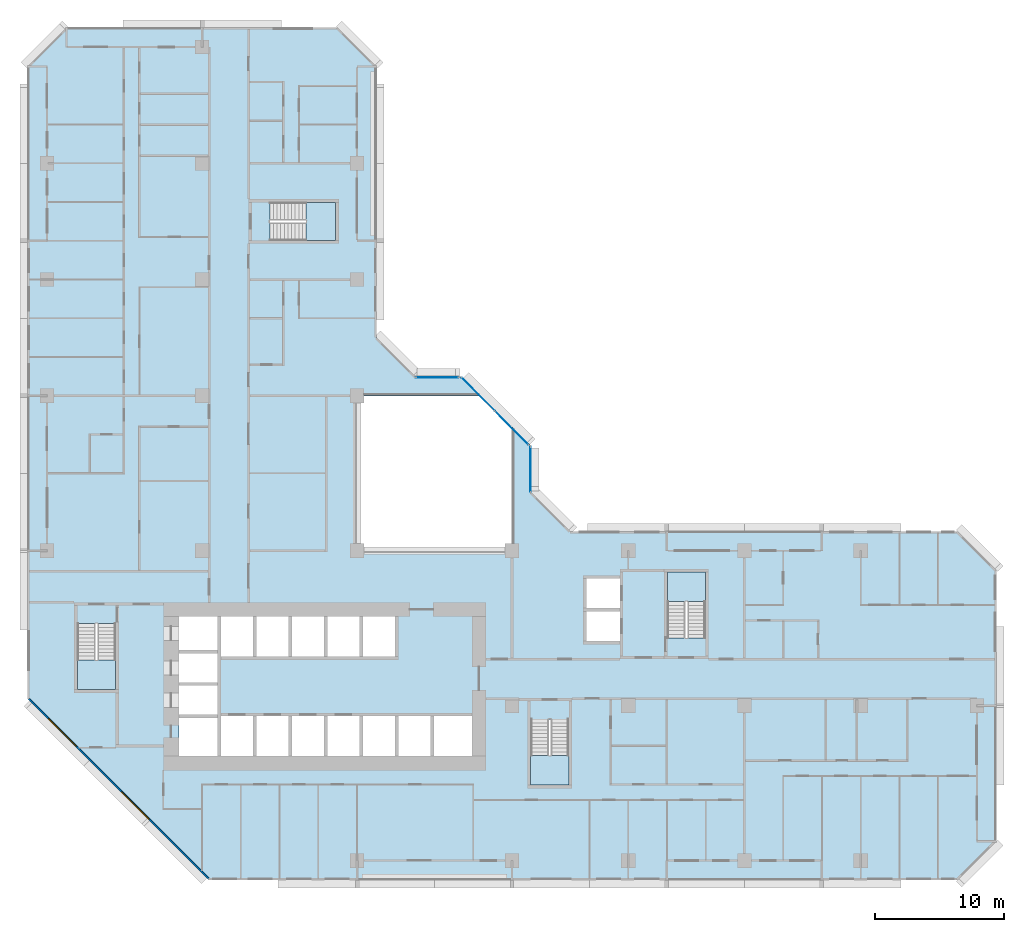
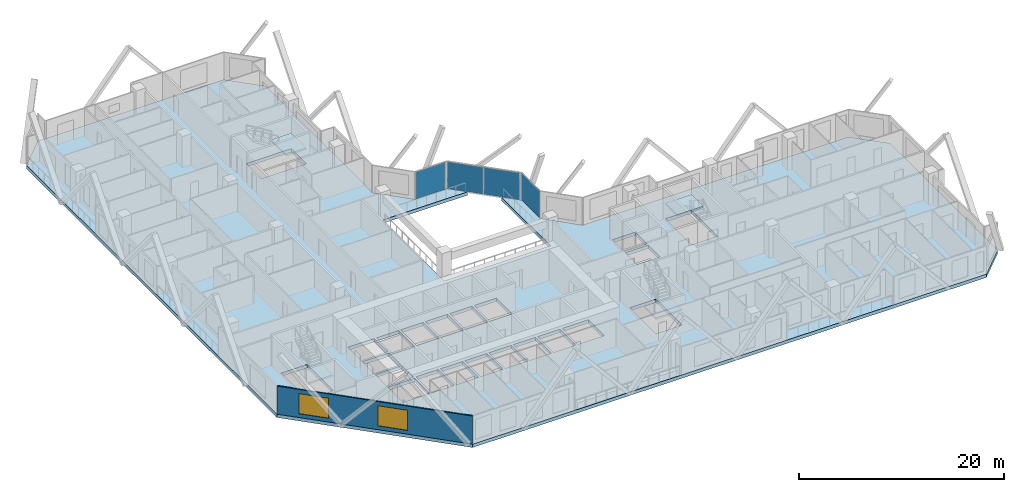
# One storey, part 3 of 15: 5 slabs, 4 plates, 2 windows, 1 wall, 2 openings, 7 elements without a shape of their own.
"""IFC4 building model written with IfcOpenShell, lengths in metres."""

from ifc_helpers import new_model, si_unit, direction, frame, frame_2d, origin, origin_2d, place, context, subcontext, project, spatial, polyline, rectangle, outline, extrude, material, layer, layer_set, type_object, element, fill, aggregate, save


model = new_model("IFC4")

# Units and contexts
model_context = context("Model", 3, precision=1e-05, world=origin(), true_north=direction((0.0, 1.0)))
body_context = subcontext(model_context, "Body", "Model", "MODEL_VIEW")
ifc_project = project(units=[si_unit("LENGTHUNIT", "METRE"), si_unit("AREAUNIT", "SQUARE_METRE"), si_unit("VOLUMEUNIT", "CUBIC_METRE"), si_unit("PLANEANGLEUNIT", "RADIAN"), si_unit("MASSUNIT", "GRAM", prefix="KILO")], contexts=[model_context])

# Site, building, storey
site_placement = place(None, origin())
site = spatial("IfcSite", under=ifc_project, at=site_placement, CompositionType="ELEMENT")
building_placement = place(site_placement, origin())
building = spatial("IfcBuilding", under=site, at=building_placement, Name="Chenar Terraces", CompositionType="ELEMENT")
storey_placement = place(building_placement, frame((0.0, 0.0, 63.89990234375)))
storey = spatial("IfcBuildingStorey", under=building, at=storey_placement, Name="L13", CompositionType="ELEMENT", Elevation=63.89990234375)

# Curtain wall, plate
ifc_material_1 = material(Name="Aluminium framed glazing", Category="aluminium")
ifc_layer_1 = layer(ifc_material_1, 0.14990234375)
ifc_layer_set_1 = layer_set([ifc_layer_1], Name="Aluminium framed glazing")
curtain_wall_type = type_object("IfcCurtainWallType", Name="Atrium curtain wall", PredefinedType="NOTDEFINED", material=ifc_layer_set_1)
placement_1 = place(storey_placement, origin())
curtain_wall_1 = element("IfcCurtainWall", 1, at=placement_1, inside=storey, type_object=curtain_wall_type, Name="Atrium curtain wall", PredefinedType="NOTDEFINED")
ifc_material_2 = material(Name="Low emissivity laminated glass, solar control coating", Category="glass")
ifc_layer_2 = layer(ifc_material_2, 0.028076171875)
ifc_layer_set_2 = layer_set([ifc_layer_2], Name="Low emissivity laminated glass, solar control coating")
plate_type = type_object("IfcPlateType", Name="Atrium glazing panel 28", PredefinedType="CURTAIN_PANEL", material=ifc_layer_set_2)
plate_1_placement = place(storey_placement, frame((37.425048828125, 30.300048828125, 0.06005859375), z_axis=(0.0, 0.0, 1.0), x_axis=(0.0, 1.0, 0.0)))
plate_1 = element("IfcPlate", 2, at=plate_1_placement, type_object=plate_type, Name="CW1-1 panel 1.1", PredefinedType="CURTAIN_PANEL", context=body_context, shape_type="SweptSolid", body=[
    extrude(rectangle(XDim=3.47998046875, YDim=0.028076171875, at=origin_2d()), origin(), (0.0, 0.0, 1.0), 3.22998046875),
])
aggregate(curtain_wall_1, [plate_1])

# Curtain wall, plates
curtain_wall_2 = element("IfcCurtainWall", 3, at=placement_1, inside=storey, type_object=curtain_wall_type, Name="Atrium curtain wall", PredefinedType="NOTDEFINED")
plate_2_placement = place(storey_placement, frame((35.980224609375, 33.513671875, 0.06005859375), z_axis=(0.0, 0.0, 1.0), x_axis=(-0.707106781187, 0.707106781187, 0.0)))
plate_2 = element("IfcPlate", 4, at=plate_2_placement, type_object=plate_type, Name="CW1-2 panel 1.1", PredefinedType="CURTAIN_PANEL", context=body_context, shape_type="SweptSolid", body=[
    extrude(rectangle(XDim=3.62841796875, YDim=0.028076171875, at=origin_2d()), origin(), (0.0, 0.0, 1.0), 3.22998046875),
])
plate_3_placement = place(storey_placement, frame((33.3720703125, 36.121826171875, 0.06005859375), z_axis=(0.0, 0.0, 1.0), x_axis=(-0.707106781187, 0.707106781187, 0.0)))
plate_3 = element("IfcPlate", 5, at=plate_3_placement, type_object=plate_type, Name="CW1-2 panel 2.1", PredefinedType="CURTAIN_PANEL", context=body_context, shape_type="SweptSolid", body=[
    extrude(rectangle(XDim=3.62841796875, YDim=0.028076171875, at=origin_2d()), origin(), (0.0, 0.0, 1.0), 3.22998046875),
])
aggregate(curtain_wall_2, [plate_2, plate_3])

# Curtain wall, plate
curtain_wall_3 = element("IfcCurtainWall", 6, at=placement_1, inside=storey, type_object=curtain_wall_type, Name="Atrium curtain wall", PredefinedType="NOTDEFINED")
plate_4_placement = place(storey_placement, frame((30.199951171875, 37.425048828125, 0.06005859375), z_axis=(0.0, 0.0, 1.0), x_axis=(-1.0, 0.0, 0.0)))
plate_4 = element("IfcPlate", 7, at=plate_4_placement, type_object=plate_type, Name="CW1-3 panel 1.1", PredefinedType="CURTAIN_PANEL", context=body_context, shape_type="SweptSolid", body=[
    extrude(rectangle(XDim=3.280029296875, YDim=0.028076171875, at=origin_2d()), origin(), (0.0, 0.0, 1.0), 3.22998046875),
])
aggregate(curtain_wall_3, [plate_4])

# Stair, slab
ifc_material_3 = material(Name="Reinforced concrete C40/50", Category="concrete")
stair_type = type_object("IfcStairType", Name="Core stair 1400 half-turn", PredefinedType="HALF_TURN_STAIR", material=ifc_material_3)
stair_1 = element("IfcStair", 8, at=placement_1, inside=storey, type_object=stair_type, Name="L13 Stair 1", PredefinedType="HALF_TURN_STAIR")
ifc_material_4 = material(Name="Reinforced concrete C40/50", Category="concrete")
ifc_layer_3 = layer(ifc_material_4, 0.199951171875)
ifc_layer_set_3 = layer_set([ifc_layer_3], Name="Reinforced concrete C40/50")
slab_type_1 = type_object("IfcSlabType", Name="Core stair landing 200", PredefinedType="LANDING", material=ifc_layer_set_3)
placement_2 = place(storey_placement, frame((0.0, 0.0, 1.675048828125)))
slab_1 = element("IfcSlab", 9, at=placement_2, type_object=slab_type_1, Name="ST1 landing 1", PredefinedType="LANDING", context=body_context, shape_type="SweptSolid", body=[
    extrude(outline(polyline([(2.35009765625, 15.550048828125), (2.35009765625, 13.25), (5.300048828125, 13.25), (5.300048828125, 15.550048828125), (2.35009765625, 15.550048828125)])), origin(), (0.0, 0.0, 1.0), 0.199951171875),
])
aggregate(stair_1, [slab_1])

stair_2 = element("IfcStair", 10, at=placement_1, inside=storey, type_object=stair_type, Name="L13 Stair 2", PredefinedType="HALF_TURN_STAIR")
slab_2 = element("IfcSlab", 11, at=placement_2, type_object=slab_type_1, Name="ST2 landing 1", PredefinedType="LANDING", context=body_context, shape_type="SweptSolid", body=[
    extrude(outline(polyline([(37.449951171875, 8.14990234375), (37.449951171875, 5.85009765625), (40.39990234375, 5.85009765625), (40.39990234375, 8.14990234375), (37.449951171875, 8.14990234375)])), origin(), (0.0, 0.0, 1.0), 0.199951171875),
])
aggregate(stair_2, [slab_2])

stair_3 = element("IfcStair", 12, at=placement_1, inside=storey, type_object=stair_type, Name="L13 Stair 3", PredefinedType="HALF_TURN_STAIR")
slab_3 = element("IfcSlab", 13, at=placement_2, type_object=slab_type_1, Name="ST3 landing 1", PredefinedType="LANDING", context=body_context, shape_type="SweptSolid", body=[
    extrude(outline(polyline([(50.97509765625, 20.050048828125), (50.97509765625, 22.35009765625), (48.02490234375, 22.35009765625), (48.02490234375, 20.050048828125), (50.97509765625, 20.050048828125)])), origin(), (0.0, 0.0, 1.0), 0.199951171875),
])
aggregate(stair_3, [slab_3])

stair_4 = element("IfcStair", 14, at=placement_1, inside=storey, type_object=stair_type, Name="L13 Stair 4", PredefinedType="HALF_TURN_STAIR")
slab_4 = element("IfcSlab", 15, at=placement_2, type_object=slab_type_1, Name="ST4 landing 1", PredefinedType="LANDING", context=body_context, shape_type="SweptSolid", body=[
    extrude(outline(polyline([(20.050048828125, 48.02490234375), (22.35009765625, 48.02490234375), (22.35009765625, 50.97509765625), (20.050048828125, 50.97509765625), (20.050048828125, 48.02490234375)])), origin(), (0.0, 0.0, 1.0), 0.199951171875),
])
aggregate(stair_4, [slab_4])

# Slab
ifc_material_5 = material(Name="Concrete C40/50", Category="concrete")
ifc_layer_4 = layer(ifc_material_5, 0.39990234375)
ifc_layer_set_4 = layer_set([ifc_layer_4], Name="Concrete C40/50")
slab_type_2 = type_object("IfcSlabType", Name="Floor slab 400 Concrete C40/50", PredefinedType="FLOOR", material=ifc_layer_set_4)
slab_5_placement = place(storey_placement, frame((0.0, 0.0, -0.39990234375)))
element("IfcSlab", 16, at=slab_5_placement, inside=storey, type_object=slab_type_2, Name="Floor slab L13", PredefinedType="FLOOR", context=body_context, shape_type="SweptSolid", body=[
    extrude(outline(polyline([(73.5, 22.5), (73.5, 1.5), (70.5, -1.5), (12.5, -1.5), (-1.5, 12.5), (-1.5, 61.5), (1.5, 64.5), (22.5, 64.5), (25.5, 61.5), (25.5, 40.5), (28.5, 37.5), (32.10009765625, 37.5), (33.60009765625, 36.0), (24.0, 36.0), (24.0, 24.0), (36.0, 24.0), (36.0, 33.60009765625), (37.5, 32.10009765625), (37.5, 28.5), (40.5, 25.5), (70.5, 25.5), (73.5, 22.5)]), holes=[polyline([(13.199951171875, 11.050048828125), (10.199951171875, 11.050048828125), (10.199951171875, 8.10009765625), (13.199951171875, 8.10009765625), (13.199951171875, 11.050048828125)]), polyline([(15.949951171875, 11.199951171875), (13.449951171875, 11.199951171875), (13.449951171875, 8.10009765625), (15.949951171875, 8.10009765625), (15.949951171875, 11.199951171875)]), polyline([(18.699951171875, 11.199951171875), (16.199951171875, 11.199951171875), (16.199951171875, 8.10009765625), (18.699951171875, 8.10009765625), (18.699951171875, 11.199951171875)]), polyline([(21.449951171875, 8.10009765625), (21.449951171875, 11.199951171875), (18.949951171875, 11.199951171875), (18.949951171875, 8.10009765625), (21.449951171875, 8.10009765625)]), polyline([(13.199951171875, 11.300048828125), (13.199951171875, 13.550048828125), (10.199951171875, 13.550048828125), (10.199951171875, 11.300048828125), (13.199951171875, 11.300048828125)]), polyline([(13.199951171875, 16.050048828125), (10.199951171875, 16.050048828125), (10.199951171875, 13.800048828125), (13.199951171875, 13.800048828125), (13.199951171875, 16.050048828125)]), polyline([(2.35009765625, 18.35009765625), (2.35009765625, 13.25), (5.300048828125, 13.25), (5.300048828125, 18.35009765625), (2.35009765625, 18.35009765625)]), polyline([(15.949951171875, 15.800048828125), (15.949951171875, 18.89990234375), (13.449951171875, 18.89990234375), (13.449951171875, 15.800048828125), (15.949951171875, 15.800048828125)]), polyline([(18.699951171875, 18.89990234375), (16.199951171875, 18.89990234375), (16.199951171875, 15.800048828125), (18.699951171875, 15.800048828125), (18.699951171875, 18.89990234375)]), polyline([(21.449951171875, 15.800048828125), (21.449951171875, 18.89990234375), (18.949951171875, 18.89990234375), (18.949951171875, 15.800048828125), (21.449951171875, 15.800048828125)]), polyline([(13.199951171875, 16.300048828125), (13.199951171875, 18.89990234375), (10.199951171875, 18.89990234375), (10.199951171875, 16.300048828125), (13.199951171875, 16.300048828125)]), polyline([(22.35009765625, 48.02490234375), (22.35009765625, 50.97509765625), (17.25, 50.97509765625), (17.25, 48.02490234375), (22.35009765625, 48.02490234375)]), polyline([(37.449951171875, 10.949951171875), (37.449951171875, 5.85009765625), (40.39990234375, 5.85009765625), (40.39990234375, 10.949951171875), (37.449951171875, 10.949951171875)]), polyline([(24.199951171875, 8.10009765625), (24.199951171875, 11.199951171875), (21.699951171875, 11.199951171875), (21.699951171875, 8.10009765625), (24.199951171875, 8.10009765625)]), polyline([(26.949951171875, 11.199951171875), (24.449951171875, 11.199951171875), (24.449951171875, 8.10009765625), (26.949951171875, 8.10009765625), (26.949951171875, 11.199951171875)]), polyline([(29.699951171875, 8.10009765625), (29.699951171875, 11.199951171875), (27.199951171875, 11.199951171875), (27.199951171875, 8.10009765625), (29.699951171875, 8.10009765625)]), polyline([(32.89990234375, 8.10009765625), (32.89990234375, 11.199951171875), (29.949951171875, 11.199951171875), (29.949951171875, 8.10009765625), (32.89990234375, 8.10009765625)]), polyline([(24.199951171875, 18.89990234375), (21.699951171875, 18.89990234375), (21.699951171875, 15.800048828125), (24.199951171875, 15.800048828125), (24.199951171875, 18.89990234375)]), polyline([(26.949951171875, 15.800048828125), (26.949951171875, 18.89990234375), (24.449951171875, 18.89990234375), (24.449951171875, 15.800048828125), (26.949951171875, 15.800048828125)]), polyline([(44.35009765625, 17.0), (44.35009765625, 19.300048828125), (41.75, 19.300048828125), (41.75, 17.0), (44.35009765625, 17.0)]), polyline([(50.97509765625, 22.35009765625), (48.02490234375, 22.35009765625), (48.02490234375, 17.25), (50.97509765625, 17.25), (50.97509765625, 22.35009765625)]), polyline([(44.35009765625, 19.550048828125), (44.35009765625, 21.85009765625), (41.75, 21.85009765625), (41.75, 19.550048828125), (44.35009765625, 19.550048828125)])]), origin(), (0.0, 0.0, 1.0), 0.39990234375),
])

# Wall, openings, windows
ifc_material_6 = material(Name="Terracotta cladding on insulated backing", Category="masonry")
ifc_layer_5 = layer(ifc_material_6, 0.14990234375)
ifc_layer_set_5 = layer_set([ifc_layer_5], Name="Terracotta cladding on insulated backing")
wall_type = type_object("IfcWallType", Name="Terracotta rainscreen wall 150", PredefinedType="SOLIDWALL", material=ifc_layer_set_5)
wall_placement = place(storey_placement, frame((-1.447021484375, 12.552978515625, 0.0), z_axis=(0.0, 0.0, 1.0), x_axis=(0.707106781187, -0.707106781187, 0.0)))
wall = element("IfcWall", 17, at=wall_placement, inside=storey, type_object=wall_type, Name="Terracotta rainscreen wall", PredefinedType="SOLIDWALL", context=body_context, shape_type="SweptSolid", body=[
    extrude(rectangle(XDim=19.799072265625, YDim=0.14990234375, at=frame_2d((9.8994140625, 0.0))), origin(), (0.0, 0.0, 1.0), 3.35009765625),
])
opening_1_placement = place(wall_placement, frame((2.21240234375, 0.0, 0.449951171875)))
opening_1 = element("IfcOpeningElement", 18, at=opening_1_placement, cuts=wall, Name="Opening W300x240", PredefinedType="OPENING", context=body_context, shape_type="SweptSolid", body=[
    extrude(rectangle(XDim=3.0, YDim=2.39990234375, at=frame_2d((1.5, 1.199951171875))), frame((0.0, 0.0849609375, 0.0), z_axis=(0.0, -1.0, 0.0), x_axis=(1.0, 0.0, 0.0)), (0.0, 0.0, 1.0), 0.169921875),
])
opening_2_placement = place(wall_placement, frame((10.215576171875, 0.0, 0.449951171875)))
opening_2 = element("IfcOpeningElement", 19, at=opening_2_placement, cuts=wall, Name="Opening W300x240", PredefinedType="OPENING", context=body_context, shape_type="SweptSolid", body=[
    extrude(rectangle(XDim=3.0, YDim=2.39990234375, at=frame_2d((1.5, 1.199951171875))), frame((0.0, 0.0849609375, 0.0), z_axis=(0.0, -1.0, 0.0), x_axis=(1.0, 0.0, 0.0)), (0.0, 0.0, 1.0), 0.169921875),
])
ifc_material_7 = material(Name="Low emissivity double glazing, aluminium frame", Category="aluminium")
window_type = type_object("IfcWindowType", Name="Fixed light 3000 x 2400", PartitioningType="SINGLE_PANEL", PredefinedType="WINDOW", material=ifc_material_7)
window_1_placement = place(opening_1_placement, origin())
window_1 = element("IfcWindow", 20, at=window_1_placement, inside=storey, type_object=window_type, Name="Window", OverallHeight=2.39990234375, OverallWidth=3.0, PartitioningType="SINGLE_PANEL", PredefinedType="WINDOW", context=body_context, shape_type="SweptSolid", body=[
    extrude(rectangle(XDim=3.0, YDim=2.39990234375, at=frame_2d((1.5, 1.199951171875))), frame((0.0, 0.030029296875, 0.0), z_axis=(0.0, -1.0, 0.0), x_axis=(1.0, 0.0, 0.0)), (0.0, 0.0, 1.0), 0.06005859375),
])
fill(opening_1, window_1)
window_2_placement = place(opening_2_placement, origin())
window_2 = element("IfcWindow", 21, at=window_2_placement, inside=storey, type_object=window_type, Name="Window", OverallHeight=2.39990234375, OverallWidth=3.0, PartitioningType="SINGLE_PANEL", PredefinedType="WINDOW", context=body_context, shape_type="SweptSolid", body=[
    extrude(rectangle(XDim=3.0, YDim=2.39990234375, at=frame_2d((1.5, 1.199951171875))), frame((0.0, 0.030029296875, 0.0), z_axis=(0.0, -1.0, 0.0), x_axis=(1.0, 0.0, 0.0)), (0.0, 0.0, 1.0), 0.06005859375),
])
fill(opening_2, window_2)

save(model, "model.ifc")
